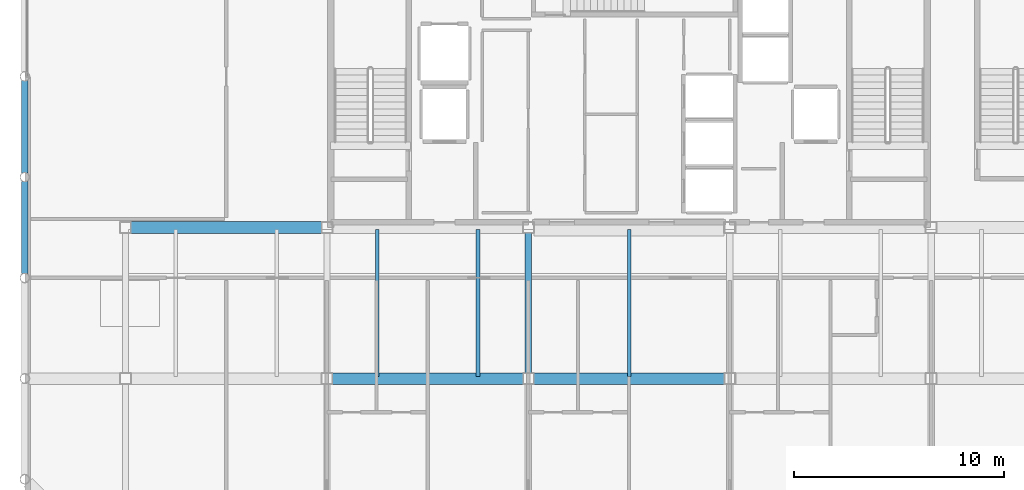
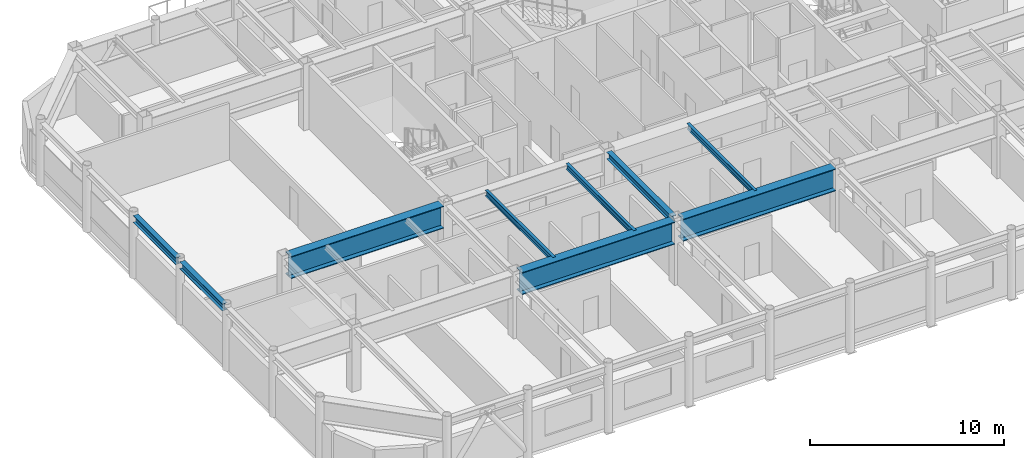
# One storey, part 6 of 23: 9 beams.
"""IFC4 building model written with IfcOpenShell, lengths in metres."""

from ifc_helpers import new_model, si_unit, direction, frame, origin, origin_2d, place, context, subcontext, project, spatial, i_section, extrude, material, material_profile, profile_set, type_object, element, save


model = new_model("IFC4")

# Units and contexts
model_context = context("Model", 3, precision=1e-05, world=origin(), true_north=direction((0.0, 1.0)))
body_context = subcontext(model_context, "Body", "Model", "MODEL_VIEW")
ifc_project = project(units=[si_unit("LENGTHUNIT", "METRE"), si_unit("AREAUNIT", "SQUARE_METRE"), si_unit("VOLUMEUNIT", "CUBIC_METRE"), si_unit("PLANEANGLEUNIT", "RADIAN"), si_unit("MASSUNIT", "GRAM", prefix="KILO")], contexts=[model_context])

# Site, building, storey
site_placement = place(None, origin())
site = spatial("IfcSite", under=ifc_project, at=site_placement, CompositionType="ELEMENT")
building_placement = place(site_placement, origin())
building = spatial("IfcBuilding", under=site, at=building_placement, Name="Kallvorn Hotel Tower", CompositionType="ELEMENT")
storey_placement = place(building_placement, frame((0.0, 0.0, 282.199951171875)))
storey = spatial("IfcBuildingStorey", under=building, at=storey_placement, Name="L70", CompositionType="ELEMENT", Elevation=282.199951171875)

# Beams
ifc_material_1 = material(Name="Structural steel S355JR", Category="steel")
ifc_material_profile_1 = material_profile(ifc_material_1, i_section(OverallWidth=0.300048828125, OverallDepth=0.43994140625, WebThickness=0.011474609375, FlangeThickness=0.02099609375, at=origin_2d()), Name="HE 450 A")
ifc_profile_set_1 = profile_set([ifc_material_profile_1], Name="Structural steel S355JR")
beam_type_1 = type_object("IfcBeamType", Name="BM_HE450A", PredefinedType="BEAM", material=ifc_profile_set_1)
beam_1_placement = place(storey_placement, frame((-28.800048828125, -9.396484375, 3.780029296875), z_axis=(0.0, 1.0, 0.0), x_axis=(-1.0, 0.0, 0.0)))
element("IfcBeam", 1, at=beam_1_placement, inside=storey, type_object=beam_type_1, Name="L71 Primary Y-Girder 27", PredefinedType="BEAM", context=body_context, shape_type="SweptSolid", body=[
    extrude(i_section(OverallWidth=0.300048828125, OverallDepth=0.43994140625, WebThickness=0.011474609375, FlangeThickness=0.02099609375, at=origin_2d()), origin(), (0.0, 0.0, 1.0), 4.39306640625),
])
beam_2_placement = place(storey_placement, frame((-28.800048828125, -4.596435546875, 3.780029296875), z_axis=(0.0, 1.0, 0.0), x_axis=(-1.0, 0.0, 0.0)))
element("IfcBeam", 2, at=beam_2_placement, inside=storey, type_object=beam_type_1, Name="L71 Primary Y-Girder 28", PredefinedType="BEAM", context=body_context, shape_type="SweptSolid", body=[
    extrude(i_section(OverallWidth=0.300048828125, OverallDepth=0.43994140625, WebThickness=0.011474609375, FlangeThickness=0.02099609375, at=origin_2d()), origin(), (0.0, 0.0, 1.0), 4.392822265625),
])
beam_3_placement = place(storey_placement, frame((-4.800048828125, -14.14990234375, 3.780029296875), z_axis=(0.0, 1.0, 0.0), x_axis=(-1.0, 0.0, 0.0)))
element("IfcBeam", 3, at=beam_3_placement, inside=storey, type_object=beam_type_1, Name="L71 Primary Y-Girder 38", PredefinedType="BEAM", context=body_context, shape_type="SweptSolid", body=[
    extrude(i_section(OverallWidth=0.300048828125, OverallDepth=0.43994140625, WebThickness=0.011474609375, FlangeThickness=0.02099609375, at=origin_2d()), origin(), (0.0, 0.0, 1.0), 6.699951171875),
])
ifc_material_2 = material(Name="Structural steel S355JR", Category="steel")
ifc_material_profile_2 = material_profile(ifc_material_2, i_section(OverallWidth=0.169921875, OverallDepth=0.360107421875, WebThickness=0.008056640625, FlangeThickness=0.0126953125, at=origin_2d()), Name="IPE 360")
ifc_profile_set_2 = profile_set([ifc_material_profile_2], Name="Structural steel S355JR")
beam_type_2 = type_object("IfcBeamType", Name="BM_IPE360", PredefinedType="JOIST", material=ifc_profile_set_2)
for number, where, z_axis, x_axis, name in (
    (4, (-12.0, -14.300048828125, 3.820068359375), (0.0, 1.0, 0.0), (-1.0, 0.0, 0.0), "L71 Secondary Composite Joist 94"),
    (5, (-7.199951171875, -14.300048828125, 3.820068359375), (0.0, 1.0, 0.0), (-1.0, 0.0, 0.0), "L71 Secondary Composite Joist 96"),
    (6, (0.0, -14.300048828125, 3.820068359375), (0.0, 1.0, 0.0), (-1.0, 0.0, 0.0), "L71 Secondary Composite Joist 98"),
):
    element("IfcBeam", number, at=place(storey_placement, frame(where, z_axis=z_axis, x_axis=x_axis)), inside=storey, type_object=beam_type_2, Name=name, PredefinedType="JOIST", context=body_context, shape_type="SweptSolid", body=[
        extrude(i_section(OverallWidth=0.169921875, OverallDepth=0.360107421875, WebThickness=0.008056640625, FlangeThickness=0.0126953125, at=origin_2d()), origin(), (0.0, 0.0, 1.0), 7.0),
    ])
ifc_material_3 = material(Name="Structural steel S355JR", Category="steel")
ifc_material_profile_3 = material_profile(ifc_material_3, i_section(OverallWidth=0.550048828125, OverallDepth=1.39990234375, WebThickness=0.02490234375, FlangeThickness=0.044921875, at=origin_2d()), Name="PG 1400x550x25x45")
ifc_profile_set_3 = profile_set([ifc_material_profile_3], Name="Structural steel S355JR")
beam_type_3 = type_object("IfcBeamType", Name="BM_PG_1400", PredefinedType="BEAM", material=ifc_profile_set_3)
beam_4_placement = place(storey_placement, frame((-14.14990234375, -14.39990234375, 3.300048828125), z_axis=(1.0, 0.0, 0.0), x_axis=(0.0, 1.0, 0.0)))
element("IfcBeam", 7, at=beam_4_placement, inside=storey, type_object=beam_type_3, Name="L71 Primary X-Girder 03", PredefinedType="BEAM", context=body_context, shape_type="SweptSolid", body=[
    extrude(i_section(OverallWidth=0.550048828125, OverallDepth=1.39990234375, WebThickness=0.02490234375, FlangeThickness=0.044921875, at=origin_2d()), origin(), (0.0, 0.0, 1.0), 9.099853515625),
])
for number, where, z_axis, x_axis, name in (
    (8, (-4.550048828125, -14.39990234375, 3.300048828125), (1.0, 0.0, 0.0), (0.0, 1.0, 0.0), "L71 Primary X-Girder 04"),
    (9, (-23.75, -7.199951171875, 3.300048828125), (1.0, 0.0, 0.0), (0.0, 1.0, 0.0), "L71 Primary X-Girder 07"),
):
    element("IfcBeam", number, at=place(storey_placement, frame(where, z_axis=z_axis, x_axis=x_axis)), inside=storey, type_object=beam_type_3, Name=name, PredefinedType="BEAM", context=body_context, shape_type="SweptSolid", body=[
        extrude(i_section(OverallWidth=0.550048828125, OverallDepth=1.39990234375, WebThickness=0.02490234375, FlangeThickness=0.044921875, at=origin_2d()), origin(), (0.0, 0.0, 1.0), 9.10009765625),
    ])

save(model, "model.ifc")
